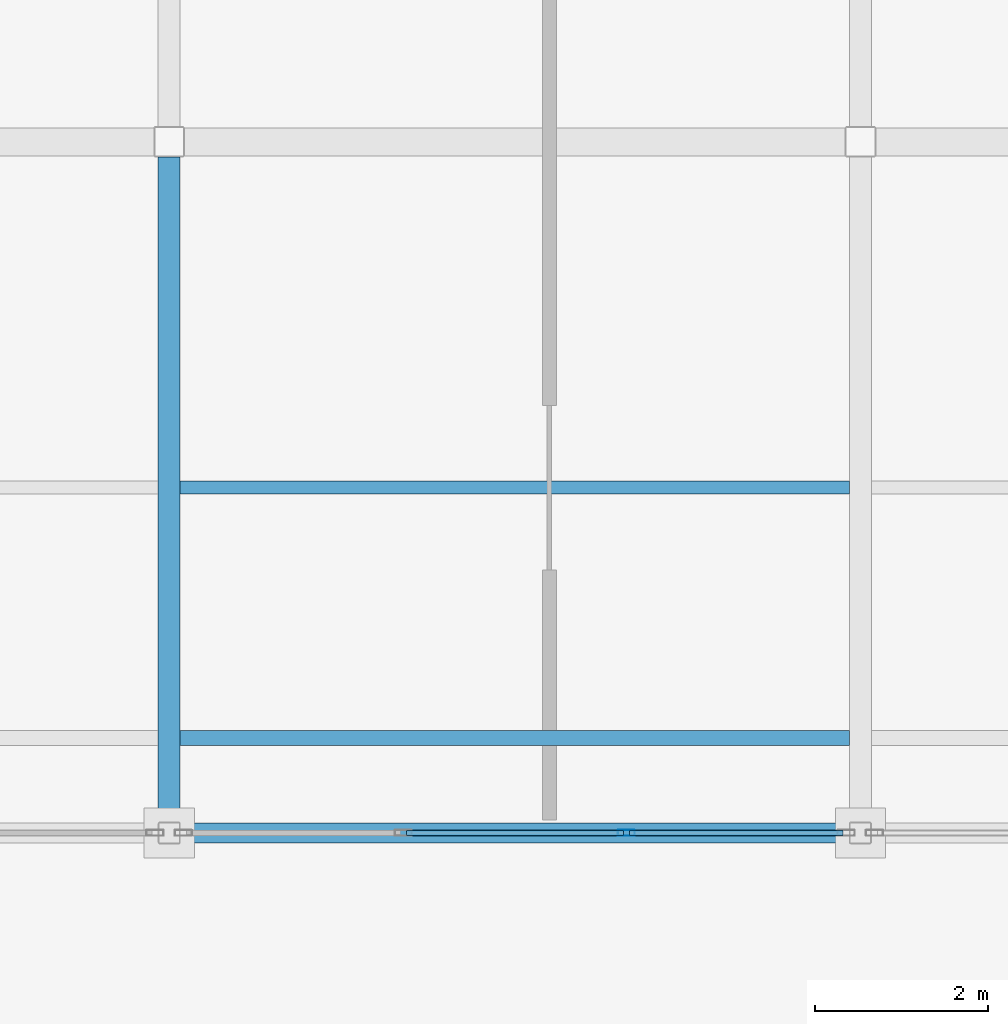
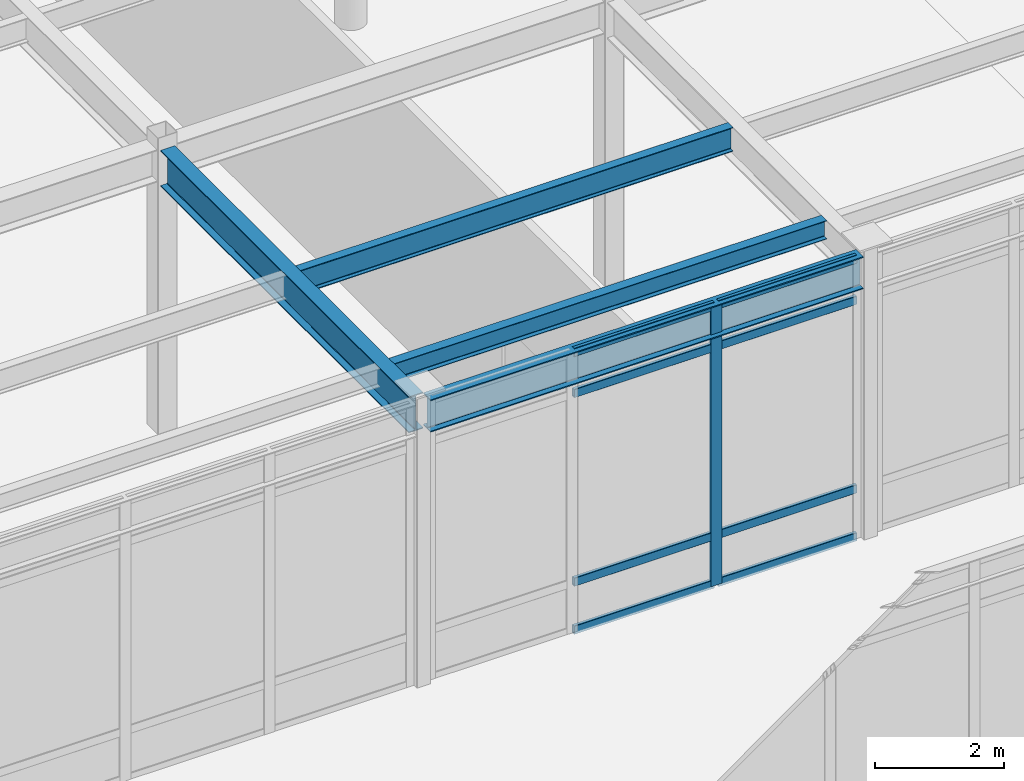
# One storey, part 64 of 128: 9 members, 4 beams, 1 element without a shape of its own.
"""IFC4 building model written with IfcOpenShell, lengths in metres."""

import ifcopenshell
import ifcopenshell.guid

model = None  # the IFC model being written
_history = None  # IfcOwnerHistory: only IFC2X3 demands one
_inside = {}  # id of a spatial element -> (the spatial element, [elements in it])
_under = {}  # id of a project, library or spatial element -> (it, [spatial elements below it])
_declared = {}  # id of a project -> (the project, [libraries it declares])
_typed = {}  # id of a type object -> (the type object, [elements of that type])
_made_of = {}  # id of a material, layer set ... -> (it, [elements and type objects made of it])


def new_model(schema):
    """Start an empty IFC model of exactly this schema.

    Asked for "IFC4X3", IfcOpenShell would pick the latest addendum, in which some entities
    have other attributes; the version numbers below select the first issue.
    IFC2X3 requires an IfcOwnerHistory on every rooted entity: one is made here for all.
    """
    global model, _history
    if schema == "IFC4X3":
        model = ifcopenshell.file(schema_version=(4, 3, 0, 0))
    else:
        model = ifcopenshell.file(schema=schema)
    _inside.clear()
    _under.clear()
    _declared.clear()
    _typed.clear()
    _made_of.clear()
    _history = None
    if model.schema == "IFC2X3":
        org = make("IfcOrganization", Name="unknown")
        user = make(
            "IfcPersonAndOrganization",
            ThePerson=make("IfcPerson", FamilyName="unknown"),
            TheOrganization=org,
        )
        app = make(
            "IfcApplication",
            ApplicationDeveloper=org,
            Version="unknown",
            ApplicationFullName="unknown",
            ApplicationIdentifier="unknown",
        )
        _history = make(
            "IfcOwnerHistory",
            OwningUser=user,
            OwningApplication=app,
            ChangeAction="ADDED",
            CreationDate=0,
        )
    return model


def make(cls, **values):
    """One entity of the class cls with the attributes given. An attribute that is None is left unset."""
    return model.create_entity(
        cls, **{name: value for name, value in values.items() if value is not None}
    )


def rooted(cls, **values):
    """An entity with a GlobalId (a new one), such as an element, a storey or a relation."""
    return make(cls, GlobalId=ifcopenshell.guid.new(), OwnerHistory=_history, **values)


def si_unit(unit_type, name, prefix=None):
    """IfcSIUnit, for example si_unit("LENGTHUNIT", "METRE", prefix="MILLI")."""
    return make("IfcSIUnit", UnitType=unit_type, Prefix=prefix, Name=name)


def assignment(units):
    """IfcUnitAssignment: the units of a project."""
    return None if units is None else make("IfcUnitAssignment", Units=units)


def point(xyz):
    """IfcCartesianPoint."""
    return None if xyz is None else make("IfcCartesianPoint", Coordinates=xyz)


def direction(xyz):
    """IfcDirection."""
    return None if xyz is None else make("IfcDirection", DirectionRatios=xyz)


def frame(location, z_axis=None, x_axis=None):
    """IfcAxis2Placement3D, a coordinate frame: its origin and axes. An axis left out is left unset."""
    return make(
        "IfcAxis2Placement3D",
        Location=point(location),
        Axis=direction(z_axis),
        RefDirection=direction(x_axis),
    )


def frame_2d(location, x_axis=None):
    """IfcAxis2Placement2D, a coordinate frame in the plane: its origin and x axis."""
    return make(
        "IfcAxis2Placement2D", Location=point(location), RefDirection=direction(x_axis)
    )


def origin():
    """The frame at (0, 0, 0) with its axes left unset."""
    return frame((0.0, 0.0, 0.0))


def origin_2d():
    """The frame at (0, 0) in the plane with its x axis left unset."""
    return frame_2d((0.0, 0.0))


def place(relative_to, where):
    """IfcLocalPlacement: puts the frame where relative to a parent placement (None: the world)."""
    return make(
        "IfcLocalPlacement", PlacementRelTo=relative_to, RelativePlacement=where
    )


def context(
    kind, dimensions, precision=None, world=None, true_north=None, identifier=None
):
    """IfcGeometricRepresentationContext, for example the 3D "Model" context."""
    return make(
        "IfcGeometricRepresentationContext",
        ContextIdentifier=identifier,
        ContextType=kind,
        CoordinateSpaceDimension=dimensions,
        Precision=precision,
        WorldCoordinateSystem=world,
        TrueNorth=true_north,
    )


def subcontext(parent, identifier, kind, view, scale=None):
    """IfcGeometricRepresentationSubContext, for example "Body" below "Model"."""
    return make(
        "IfcGeometricRepresentationSubContext",
        ContextIdentifier=identifier,
        ContextType=kind,
        ParentContext=parent,
        TargetScale=scale,
        TargetView=view,
    )


def project(units=None, contexts=None):
    """IfcProject with its units and contexts."""
    return rooted(
        "IfcProject",
        Name="project",
        RepresentationContexts=contexts,
        UnitsInContext=assignment(units),
    )


def spatial(cls, under=None, at=None, **own):
    """A site, building, storey or space (cls), placed at a placement, below another one or the project."""
    s = rooted(cls, ObjectPlacement=at, **own)
    if under is not None:
        _under.setdefault(under.id(), (under, []))[1].append(s)
    return s


def profile(cls, at=None, kind="AREA", **sizes):
    """A parametric profile (cls). Its sizes go by their IFC names, for example OverallWidth=200.0."""
    return make(cls, ProfileType=kind, Position=at, **sizes)


def hollow_rectangle(**sizes):
    """IfcRectangleHollowProfileDef."""
    return profile("IfcRectangleHollowProfileDef", **sizes)


def i_section(**sizes):
    """IfcIShapeProfileDef."""
    return profile("IfcIShapeProfileDef", **sizes)


def extrude(swept, where, along, depth):
    """IfcExtrudedAreaSolid: the profile swept, set in the frame where, extruded along a direction by depth."""
    return make(
        "IfcExtrudedAreaSolid",
        SweptArea=swept,
        Position=where,
        ExtrudedDirection=direction(along),
        Depth=depth,
    )


def shape(context_of_items, identifier, shape_type, items):
    """IfcShapeRepresentation: the items that make up one representation, for example the "Body"."""
    return make(
        "IfcShapeRepresentation",
        ContextOfItems=context_of_items,
        RepresentationIdentifier=identifier,
        RepresentationType=shape_type,
        Items=items,
    )


def material(Name=None, Category=None):
    """IfcMaterial."""
    return make("IfcMaterial", Name=Name, Category=Category)


def material_profile(
    of_material, cross_section, Name=None, Category=None, Priority=None
):
    """IfcMaterialProfile: a cross section and its material."""
    return make(
        "IfcMaterialProfile",
        Name=Name,
        Material=of_material,
        Profile=cross_section,
        Priority=Priority,
        Category=Category,
    )


def profile_set(profiles, Name=None, composite=None):
    """IfcMaterialProfileSet."""
    return make(
        "IfcMaterialProfileSet",
        Name=Name,
        MaterialProfiles=profiles,
        CompositeProfile=composite,
    )


def made_of(thing, what):
    """Note that an element or type object is made of a material, layer set ...; save() writes the relation."""
    if what is not None:
        _made_of.setdefault(what.id(), (what, []))[1].append(thing)
    return thing


def type_object(cls, material=None, **own):
    """A type object (cls), such as IfcWallType, which elements share."""
    return made_of(rooted(cls, **own), material)


def element(
    cls,
    number,
    at=None,
    inside=None,
    cuts=None,
    type_object=None,
    material=None,
    context=None,
    identifier="Body",
    shape_type=None,
    held_by="IfcProductDefinitionShape",
    body=None,
    shapes=None,
    **own,
):
    """One element of the class cls, such as IfcWall. Its Tag is "e" and its number.

    at: its placement. inside: the storey or other place that contains it. cuts: it is an
    opening in that element (IfcRelVoidsElement). A single representation is given by context,
    identifier, shape_type and body (its items); several are given by shapes. held_by: the class
    of the entity that holds the representations. save() writes the other relations.
    """
    e = rooted(cls, Tag="e%d" % number, ObjectPlacement=at, **own)
    if body is not None:
        shapes = [shape(context, identifier, shape_type, body)]
    if shapes is not None:
        e.Representation = make(held_by, Representations=shapes)
    if inside is not None:
        _inside.setdefault(inside.id(), (inside, []))[1].append(e)
    if cuts is not None:
        rooted(
            "IfcRelVoidsElement", RelatingBuildingElement=cuts, RelatedOpeningElement=e
        )
    if type_object is not None:
        _typed.setdefault(type_object.id(), (type_object, []))[1].append(e)
    return made_of(e, material)


def aggregate(whole, parts):
    """IfcRelAggregates: a whole, such as a stair, and the parts it consists of."""
    return rooted("IfcRelAggregates", RelatingObject=whole, RelatedObjects=parts)


def save(model, path):
    """Write the relations noted so far, then the file.

    IfcRelAggregates (storeys below a building ...), IfcRelContainedInSpatialStructure (elements
    in a storey), IfcRelDefinesByType, IfcRelAssociatesMaterial and IfcRelDeclares: one each for
    every whole, place, type object, material and project.
    """
    for whole, parts in _under.values():
        aggregate(whole, parts)
    for where, things in _inside.values():
        rooted(
            "IfcRelContainedInSpatialStructure",
            RelatedElements=things,
            RelatingStructure=where,
        )
    for kind, things in _typed.values():
        rooted("IfcRelDefinesByType", RelatedObjects=things, RelatingType=kind)
    for what, things in _made_of.values():
        rooted("IfcRelAssociatesMaterial", RelatedObjects=things, RelatingMaterial=what)
    for by, libraries in _declared.values():
        rooted("IfcRelDeclares", RelatingContext=by, RelatedDefinitions=libraries)
    model.write(path)


model = new_model("IFC4")

# Units and contexts
model_context = context("Model", 3, precision=1e-05, world=origin(), true_north=direction((0.0, 1.0)))
body_context = subcontext(model_context, "Body", "Model", "MODEL_VIEW")
ifc_project = project(units=[si_unit("LENGTHUNIT", "METRE"), si_unit("AREAUNIT", "SQUARE_METRE"), si_unit("VOLUMEUNIT", "CUBIC_METRE"), si_unit("PLANEANGLEUNIT", "RADIAN"), si_unit("MASSUNIT", "GRAM", prefix="KILO")], contexts=[model_context])

# Site, building, storey
site_placement = place(None, origin())
site = spatial("IfcSite", under=ifc_project, at=site_placement, CompositionType="ELEMENT")
building_placement = place(site_placement, origin())
building = spatial("IfcBuilding", under=site, at=building_placement, Name="Solmirada Galleria", CompositionType="ELEMENT")
storey_placement = place(building_placement, origin())
storey = spatial("IfcBuildingStorey", under=building, at=storey_placement, Name="L00", CompositionType="ELEMENT", Elevation=0.0)

# Beams
ifc_material_1 = material(Name="Steel S355 / ASTM A992 Grade 50", Category="steel")
ifc_material_profile_1 = material_profile(ifc_material_1, i_section(OverallWidth=0.22900390625, OverallDepth=0.612060546875, WebThickness=0.011962890625, FlangeThickness=0.01953125, FilletRadius=0.014892578125, at=origin_2d()), Name="W24X84")
ifc_profile_set_1 = profile_set([ifc_material_profile_1], Name="Steel S355 / ASTM A992 Grade 50")
beam_type_1 = type_object("IfcBeamType", Name="BM-GIRD-W24B", PredefinedType="BEAM", material=ifc_profile_set_1)
beam_1_placement = place(storey_placement, frame((64.126953125, 72.0, 5.053955078125), z_axis=(1.0, 0.0, 0.0), x_axis=(0.0, 1.0, 0.0)))
element("IfcBeam", 1, at=beam_1_placement, inside=storey, type_object=beam_type_1, Name="Primary beam L01 X(64..72, 72)", PredefinedType="BEAM", context=body_context, shape_type="SweptSolid", body=[
    extrude(i_section(OverallWidth=0.22900390625, OverallDepth=0.612060546875, WebThickness=0.011962890625, FlangeThickness=0.01953125, FilletRadius=0.014892578125, at=origin_2d()), origin(), (0.0, 0.0, 1.0), 7.74609375),
])
ifc_material_profile_2 = material_profile(ifc_material_1, i_section(OverallWidth=0.25390625, OverallDepth=0.68408203125, WebThickness=0.012451171875, FlangeThickness=0.018798828125, FilletRadius=0.01708984375, at=origin_2d()), Name="W27X94")
ifc_profile_set_2 = profile_set([ifc_material_profile_2], Name="Steel S355 / ASTM A992 Grade 50")
beam_type_2 = type_object("IfcBeamType", Name="BM-GIRD-W27B", PredefinedType="BEAM", material=ifc_profile_set_2)
beam_2_placement = place(storey_placement, frame((64.0, 72.126953125, 5.01806640625), z_axis=(0.0, 1.0, 0.0), x_axis=(-1.0, 0.0, 0.0)))
element("IfcBeam", 2, at=beam_2_placement, inside=storey, type_object=beam_type_2, Name="Primary girder L01 Y(64, 72..80)", PredefinedType="BEAM", context=body_context, shape_type="SweptSolid", body=[
    extrude(i_section(OverallWidth=0.25390625, OverallDepth=0.68408203125, WebThickness=0.012451171875, FlangeThickness=0.018798828125, FilletRadius=0.01708984375, at=origin_2d()), origin(), (0.0, 0.0, 1.0), 7.695068359375),
])
ifc_material_profile_3 = material_profile(ifc_material_1, i_section(OverallWidth=0.1708984375, OverallDepth=0.35205078125, WebThickness=0.0068359375, FlangeThickness=0.009765625, FilletRadius=0.010986328125, at=origin_2d()), Name="W14X30")
ifc_profile_set_3 = profile_set([ifc_material_profile_3], Name="Steel S355 / ASTM A992 Grade 50")
beam_type_3 = type_object("IfcBeamType", Name="BM-JST-W14B", PredefinedType="JOIST", material=ifc_profile_set_3)
beam_3_placement = place(storey_placement, frame((64.126953125, 73.10009765625, 5.18408203125), z_axis=(1.0, 0.0, 0.0), x_axis=(0.0, 1.0, 0.0)))
element("IfcBeam", 3, at=beam_3_placement, inside=storey, type_object=beam_type_3, Name="Terrace deck joist L01-TERR-NW X=64..72 (1)", PredefinedType="JOIST", context=body_context, shape_type="SweptSolid", body=[
    extrude(i_section(OverallWidth=0.1708984375, OverallDepth=0.35205078125, WebThickness=0.0068359375, FlangeThickness=0.009765625, FilletRadius=0.010986328125, at=origin_2d()), origin(), (0.0, 0.0, 1.0), 7.7451171875),
])
ifc_material_profile_4 = material_profile(ifc_material_1, i_section(OverallWidth=0.153076171875, OverallDepth=0.455078125, WebThickness=0.008056640625, FlangeThickness=0.01318359375, FilletRadius=0.011962890625, at=origin_2d()), Name="W18X40")
ifc_profile_set_4 = profile_set([ifc_material_profile_4], Name="Steel S355 / ASTM A992 Grade 50")
beam_type_4 = type_object("IfcBeamType", Name="BM-JST-W18A", PredefinedType="JOIST", material=ifc_profile_set_4)
beam_4_placement = place(storey_placement, frame((64.126953125, 76.0, 5.132568359375), z_axis=(1.0, 0.0, 0.0), x_axis=(0.0, 1.0, 0.0)))
element("IfcBeam", 4, at=beam_4_placement, inside=storey, type_object=beam_type_4, Name="Composite floor joist L01 (64..72, 76.0)", PredefinedType="JOIST", context=body_context, shape_type="SweptSolid", body=[
    extrude(i_section(OverallWidth=0.153076171875, OverallDepth=0.455078125, WebThickness=0.008056640625, FlangeThickness=0.01318359375, FilletRadius=0.011962890625, at=origin_2d()), origin(), (0.0, 0.0, 1.0), 7.7451171875),
])

# Curtain wall, members
ifc_material_2 = material(Name="Impact-resistant low-E double glazing", Category="glass")
curtain_wall_type = type_object("IfcCurtainWallType", Name="CW-FZ4-L00-B3-L077", PredefinedType="NOTDEFINED", material=ifc_material_2)
curtain_wall_placement = place(storey_placement, origin())
curtain_wall = element("IfcCurtainWall", 5, at=curtain_wall_placement, inside=storey, type_object=curtain_wall_type, Name="Terrace and arcade storefront CW-L00-005", PredefinedType="NOTDEFINED")
ifc_material_3 = material(Name="Anodised aluminium framing", Category="aluminium")
ifc_material_profile_5 = material_profile(ifc_material_3, hollow_rectangle(XDim=0.070068359375, YDim=0.199951171875, WallThickness=0.004150390625, InnerFilletRadius=0.004150390625, OuterFilletRadius=0.00830078125, at=origin_2d()), Name="ALU-MULL-200X70")
ifc_profile_set_5 = profile_set([ifc_material_profile_5], Name="Anodised aluminium framing")
member_type_1 = type_object("IfcMemberType", Name="CW-MULL-200", PredefinedType="MULLION", material=ifc_profile_set_5)
member_1_placement = place(storey_placement, frame((69.290283203125, 72.0, 0.0), z_axis=(0.0, 0.0, 1.0), x_axis=(0.0, -1.0, 0.0)))
member_1 = element("IfcMember", 6, at=member_1_placement, type_object=member_type_1, Name="CW03 mullion 2", PredefinedType="MULLION", context=body_context, shape_type="SweptSolid", body=[
    extrude(hollow_rectangle(XDim=0.070068359375, YDim=0.199951171875, WallThickness=0.004150390625, InnerFilletRadius=0.004150390625, OuterFilletRadius=0.00830078125, at=origin_2d()), origin(), (0.0, 0.0, 1.0), 5.320068359375),
])
ifc_material_profile_6 = material_profile(ifc_material_3, hollow_rectangle(XDim=0.06494140625, YDim=0.159912109375, WallThickness=0.00390625, InnerFilletRadius=0.00390625, OuterFilletRadius=0.007568359375, at=origin_2d()), Name="ALU-TRAN-160X65")
ifc_profile_set_6 = profile_set([ifc_material_profile_6], Name="Anodised aluminium framing")
member_type_2 = type_object("IfcMemberType", Name="CW-TRAN-160", PredefinedType="USERDEFINED", material=ifc_profile_set_6)
member_2_placement = place(storey_placement, frame((71.801025390625, 72.0, 0.032470703125), z_axis=(-1.0, 0.0, 0.0), x_axis=(0.0, -1.0, 0.0)))
member_2 = element("IfcMember", 7, at=member_2_placement, type_object=member_type_2, Name="CW03 transom 1.1", ObjectType="TRANSOM", PredefinedType="USERDEFINED", context=body_context, shape_type="SweptSolid", body=[
    extrude(hollow_rectangle(XDim=0.06494140625, YDim=0.159912109375, WallThickness=0.00390625, InnerFilletRadius=0.00390625, OuterFilletRadius=0.007568359375, at=origin_2d()), origin(), (0.0, 0.0, 1.0), 2.4755859375),
])
member_3_placement = place(storey_placement, frame((71.801025390625, 72.0, 0.93994140625), z_axis=(-1.0, 0.0, 0.0), x_axis=(0.0, -1.0, 0.0)))
member_3 = element("IfcMember", 8, at=member_3_placement, type_object=member_type_2, Name="CW03 transom 1.2", ObjectType="TRANSOM", PredefinedType="USERDEFINED", context=body_context, shape_type="SweptSolid", body=[
    extrude(hollow_rectangle(XDim=0.06494140625, YDim=0.159912109375, WallThickness=0.00390625, InnerFilletRadius=0.00390625, OuterFilletRadius=0.007568359375, at=origin_2d()), origin(), (0.0, 0.0, 1.0), 2.4755859375),
])
member_4_placement = place(storey_placement, frame((71.801025390625, 72.0, 4.510009765625), z_axis=(-1.0, 0.0, 0.0), x_axis=(0.0, -1.0, 0.0)))
member_4 = element("IfcMember", 9, at=member_4_placement, type_object=member_type_2, Name="CW03 transom 1.3", ObjectType="TRANSOM", PredefinedType="USERDEFINED", context=body_context, shape_type="SweptSolid", body=[
    extrude(hollow_rectangle(XDim=0.06494140625, YDim=0.159912109375, WallThickness=0.00390625, InnerFilletRadius=0.00390625, OuterFilletRadius=0.007568359375, at=origin_2d()), origin(), (0.0, 0.0, 1.0), 2.4755859375),
])
member_5_placement = place(storey_placement, frame((71.801025390625, 72.0, 5.28759765625), z_axis=(-1.0, 0.0, 0.0), x_axis=(0.0, -1.0, 0.0)))
member_5 = element("IfcMember", 10, at=member_5_placement, type_object=member_type_2, Name="CW03 transom 1.4", ObjectType="TRANSOM", PredefinedType="USERDEFINED", context=body_context, shape_type="SweptSolid", body=[
    extrude(hollow_rectangle(XDim=0.06494140625, YDim=0.159912109375, WallThickness=0.00390625, InnerFilletRadius=0.00390625, OuterFilletRadius=0.007568359375, at=origin_2d()), origin(), (0.0, 0.0, 1.0), 2.4755859375),
])
member_6_placement = place(storey_placement, frame((69.25537109375, 72.0, 0.032470703125), z_axis=(-1.0, 0.0, 0.0), x_axis=(0.0, -1.0, 0.0)))
member_6 = element("IfcMember", 11, at=member_6_placement, type_object=member_type_2, Name="CW03 transom 2.1", ObjectType="TRANSOM", PredefinedType="USERDEFINED", context=body_context, shape_type="SweptSolid", body=[
    extrude(hollow_rectangle(XDim=0.06494140625, YDim=0.159912109375, WallThickness=0.00390625, InnerFilletRadius=0.00390625, OuterFilletRadius=0.007568359375, at=origin_2d()), origin(), (0.0, 0.0, 1.0), 2.5107421875),
])
member_7_placement = place(storey_placement, frame((69.25537109375, 72.0, 0.93994140625), z_axis=(-1.0, 0.0, 0.0), x_axis=(0.0, -1.0, 0.0)))
member_7 = element("IfcMember", 12, at=member_7_placement, type_object=member_type_2, Name="CW03 transom 2.2", ObjectType="TRANSOM", PredefinedType="USERDEFINED", context=body_context, shape_type="SweptSolid", body=[
    extrude(hollow_rectangle(XDim=0.06494140625, YDim=0.159912109375, WallThickness=0.00390625, InnerFilletRadius=0.00390625, OuterFilletRadius=0.007568359375, at=origin_2d()), origin(), (0.0, 0.0, 1.0), 2.5107421875),
])
member_8_placement = place(storey_placement, frame((69.25537109375, 72.0, 4.510009765625), z_axis=(-1.0, 0.0, 0.0), x_axis=(0.0, -1.0, 0.0)))
member_8 = element("IfcMember", 13, at=member_8_placement, type_object=member_type_2, Name="CW03 transom 2.3", ObjectType="TRANSOM", PredefinedType="USERDEFINED", context=body_context, shape_type="SweptSolid", body=[
    extrude(hollow_rectangle(XDim=0.06494140625, YDim=0.159912109375, WallThickness=0.00390625, InnerFilletRadius=0.00390625, OuterFilletRadius=0.007568359375, at=origin_2d()), origin(), (0.0, 0.0, 1.0), 2.5107421875),
])
member_9_placement = place(storey_placement, frame((69.25537109375, 72.0, 5.28759765625), z_axis=(-1.0, 0.0, 0.0), x_axis=(0.0, -1.0, 0.0)))
member_9 = element("IfcMember", 14, at=member_9_placement, type_object=member_type_2, Name="CW03 transom 2.4", ObjectType="TRANSOM", PredefinedType="USERDEFINED", context=body_context, shape_type="SweptSolid", body=[
    extrude(hollow_rectangle(XDim=0.06494140625, YDim=0.159912109375, WallThickness=0.00390625, InnerFilletRadius=0.00390625, OuterFilletRadius=0.007568359375, at=origin_2d()), origin(), (0.0, 0.0, 1.0), 2.5107421875),
])
aggregate(curtain_wall, [member_1, member_2, member_3, member_4, member_5, member_6, member_7, member_8, member_9])

save(model, "model.ifc")
